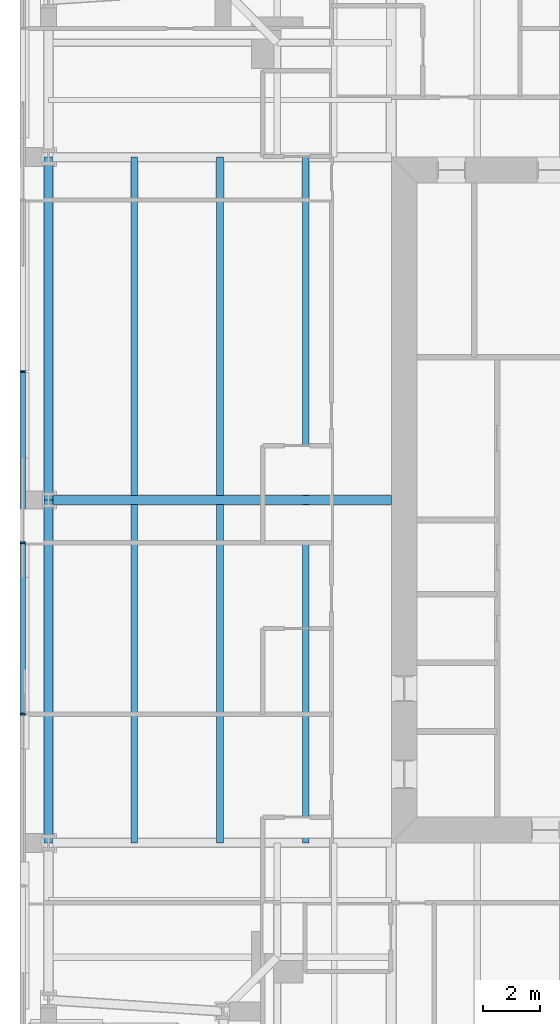
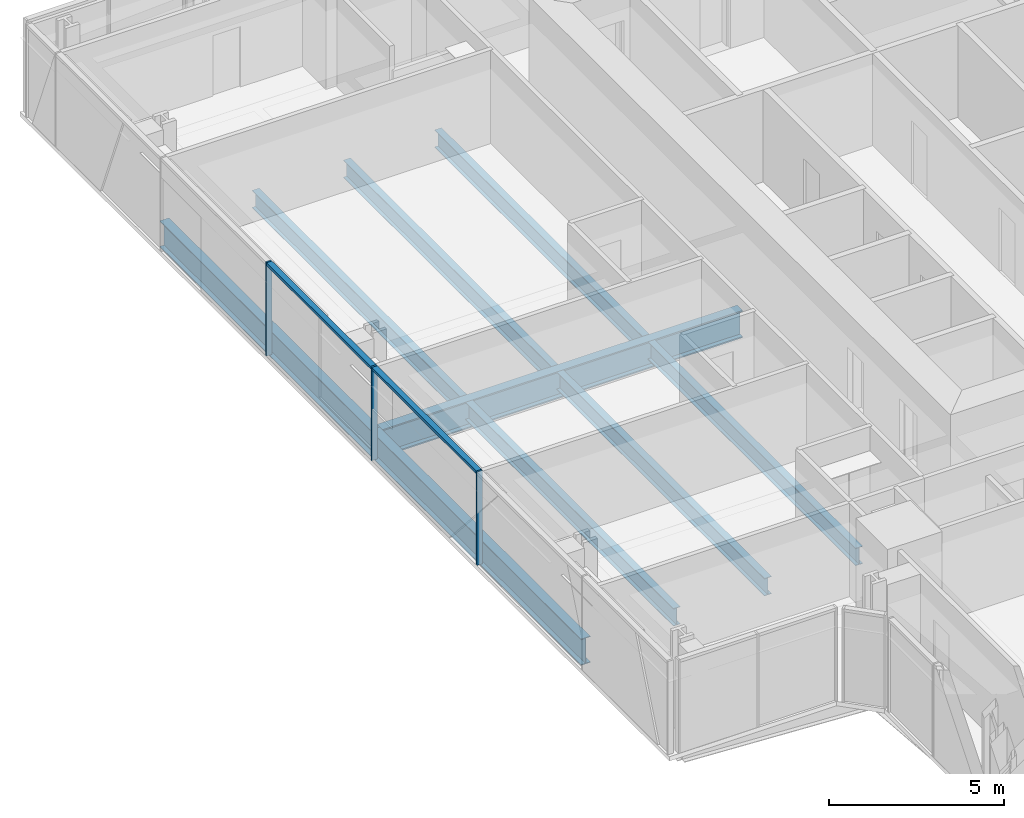
# One storey, part 4 of 20: 9 beams, 5 members, 1 element without a shape of its own.
"""IFC4 building model written with IfcOpenShell, lengths in metres."""

import ifcopenshell
import ifcopenshell.guid

model = None  # the IFC model being written
_history = None  # IfcOwnerHistory: only IFC2X3 demands one
_inside = {}  # id of a spatial element -> (the spatial element, [elements in it])
_under = {}  # id of a project, library or spatial element -> (it, [spatial elements below it])
_declared = {}  # id of a project -> (the project, [libraries it declares])
_typed = {}  # id of a type object -> (the type object, [elements of that type])
_made_of = {}  # id of a material, layer set ... -> (it, [elements and type objects made of it])


def new_model(schema):
    """Start an empty IFC model of exactly this schema.

    Asked for "IFC4X3", IfcOpenShell would pick the latest addendum, in which some entities
    have other attributes; the version numbers below select the first issue.
    IFC2X3 requires an IfcOwnerHistory on every rooted entity: one is made here for all.
    """
    global model, _history
    if schema == "IFC4X3":
        model = ifcopenshell.file(schema_version=(4, 3, 0, 0))
    else:
        model = ifcopenshell.file(schema=schema)
    _inside.clear()
    _under.clear()
    _declared.clear()
    _typed.clear()
    _made_of.clear()
    _history = None
    if model.schema == "IFC2X3":
        org = make("IfcOrganization", Name="unknown")
        user = make(
            "IfcPersonAndOrganization",
            ThePerson=make("IfcPerson", FamilyName="unknown"),
            TheOrganization=org,
        )
        app = make(
            "IfcApplication",
            ApplicationDeveloper=org,
            Version="unknown",
            ApplicationFullName="unknown",
            ApplicationIdentifier="unknown",
        )
        _history = make(
            "IfcOwnerHistory",
            OwningUser=user,
            OwningApplication=app,
            ChangeAction="ADDED",
            CreationDate=0,
        )
    return model


def make(cls, **values):
    """One entity of the class cls with the attributes given. An attribute that is None is left unset."""
    return model.create_entity(
        cls, **{name: value for name, value in values.items() if value is not None}
    )


def rooted(cls, **values):
    """An entity with a GlobalId (a new one), such as an element, a storey or a relation."""
    return make(cls, GlobalId=ifcopenshell.guid.new(), OwnerHistory=_history, **values)


def si_unit(unit_type, name, prefix=None):
    """IfcSIUnit, for example si_unit("LENGTHUNIT", "METRE", prefix="MILLI")."""
    return make("IfcSIUnit", UnitType=unit_type, Prefix=prefix, Name=name)


def assignment(units):
    """IfcUnitAssignment: the units of a project."""
    return None if units is None else make("IfcUnitAssignment", Units=units)


def point(xyz):
    """IfcCartesianPoint."""
    return None if xyz is None else make("IfcCartesianPoint", Coordinates=xyz)


def direction(xyz):
    """IfcDirection."""
    return None if xyz is None else make("IfcDirection", DirectionRatios=xyz)


def frame(location, z_axis=None, x_axis=None):
    """IfcAxis2Placement3D, a coordinate frame: its origin and axes. An axis left out is left unset."""
    return make(
        "IfcAxis2Placement3D",
        Location=point(location),
        Axis=direction(z_axis),
        RefDirection=direction(x_axis),
    )


def frame_2d(location, x_axis=None):
    """IfcAxis2Placement2D, a coordinate frame in the plane: its origin and x axis."""
    return make(
        "IfcAxis2Placement2D", Location=point(location), RefDirection=direction(x_axis)
    )


def origin():
    """The frame at (0, 0, 0) with its axes left unset."""
    return frame((0.0, 0.0, 0.0))


def origin_2d():
    """The frame at (0, 0) in the plane with its x axis left unset."""
    return frame_2d((0.0, 0.0))


def place(relative_to, where):
    """IfcLocalPlacement: puts the frame where relative to a parent placement (None: the world)."""
    return make(
        "IfcLocalPlacement", PlacementRelTo=relative_to, RelativePlacement=where
    )


def context(
    kind, dimensions, precision=None, world=None, true_north=None, identifier=None
):
    """IfcGeometricRepresentationContext, for example the 3D "Model" context."""
    return make(
        "IfcGeometricRepresentationContext",
        ContextIdentifier=identifier,
        ContextType=kind,
        CoordinateSpaceDimension=dimensions,
        Precision=precision,
        WorldCoordinateSystem=world,
        TrueNorth=true_north,
    )


def subcontext(parent, identifier, kind, view, scale=None):
    """IfcGeometricRepresentationSubContext, for example "Body" below "Model"."""
    return make(
        "IfcGeometricRepresentationSubContext",
        ContextIdentifier=identifier,
        ContextType=kind,
        ParentContext=parent,
        TargetScale=scale,
        TargetView=view,
    )


def project(units=None, contexts=None):
    """IfcProject with its units and contexts."""
    return rooted(
        "IfcProject",
        Name="project",
        RepresentationContexts=contexts,
        UnitsInContext=assignment(units),
    )


def spatial(cls, under=None, at=None, **own):
    """A site, building, storey or space (cls), placed at a placement, below another one or the project."""
    s = rooted(cls, ObjectPlacement=at, **own)
    if under is not None:
        _under.setdefault(under.id(), (under, []))[1].append(s)
    return s


def profile(cls, at=None, kind="AREA", **sizes):
    """A parametric profile (cls). Its sizes go by their IFC names, for example OverallWidth=200.0."""
    return make(cls, ProfileType=kind, Position=at, **sizes)


def rectangle(**sizes):
    """IfcRectangleProfileDef."""
    return profile("IfcRectangleProfileDef", **sizes)


def i_section(**sizes):
    """IfcIShapeProfileDef."""
    return profile("IfcIShapeProfileDef", **sizes)


def extrude(swept, where, along, depth):
    """IfcExtrudedAreaSolid: the profile swept, set in the frame where, extruded along a direction by depth."""
    return make(
        "IfcExtrudedAreaSolid",
        SweptArea=swept,
        Position=where,
        ExtrudedDirection=direction(along),
        Depth=depth,
    )


def shape(context_of_items, identifier, shape_type, items):
    """IfcShapeRepresentation: the items that make up one representation, for example the "Body"."""
    return make(
        "IfcShapeRepresentation",
        ContextOfItems=context_of_items,
        RepresentationIdentifier=identifier,
        RepresentationType=shape_type,
        Items=items,
    )


def material(Name=None, Category=None):
    """IfcMaterial."""
    return make("IfcMaterial", Name=Name, Category=Category)


def material_profile(
    of_material, cross_section, Name=None, Category=None, Priority=None
):
    """IfcMaterialProfile: a cross section and its material."""
    return make(
        "IfcMaterialProfile",
        Name=Name,
        Material=of_material,
        Profile=cross_section,
        Priority=Priority,
        Category=Category,
    )


def profile_set(profiles, Name=None, composite=None):
    """IfcMaterialProfileSet."""
    return make(
        "IfcMaterialProfileSet",
        Name=Name,
        MaterialProfiles=profiles,
        CompositeProfile=composite,
    )


def made_of(thing, what):
    """Note that an element or type object is made of a material, layer set ...; save() writes the relation."""
    if what is not None:
        _made_of.setdefault(what.id(), (what, []))[1].append(thing)
    return thing


def type_object(cls, material=None, **own):
    """A type object (cls), such as IfcWallType, which elements share."""
    return made_of(rooted(cls, **own), material)


def element(
    cls,
    number,
    at=None,
    inside=None,
    cuts=None,
    type_object=None,
    material=None,
    context=None,
    identifier="Body",
    shape_type=None,
    held_by="IfcProductDefinitionShape",
    body=None,
    shapes=None,
    **own,
):
    """One element of the class cls, such as IfcWall. Its Tag is "e" and its number.

    at: its placement. inside: the storey or other place that contains it. cuts: it is an
    opening in that element (IfcRelVoidsElement). A single representation is given by context,
    identifier, shape_type and body (its items); several are given by shapes. held_by: the class
    of the entity that holds the representations. save() writes the other relations.
    """
    e = rooted(cls, Tag="e%d" % number, ObjectPlacement=at, **own)
    if body is not None:
        shapes = [shape(context, identifier, shape_type, body)]
    if shapes is not None:
        e.Representation = make(held_by, Representations=shapes)
    if inside is not None:
        _inside.setdefault(inside.id(), (inside, []))[1].append(e)
    if cuts is not None:
        rooted(
            "IfcRelVoidsElement", RelatingBuildingElement=cuts, RelatedOpeningElement=e
        )
    if type_object is not None:
        _typed.setdefault(type_object.id(), (type_object, []))[1].append(e)
    return made_of(e, material)


def aggregate(whole, parts):
    """IfcRelAggregates: a whole, such as a stair, and the parts it consists of."""
    return rooted("IfcRelAggregates", RelatingObject=whole, RelatedObjects=parts)


def save(model, path):
    """Write the relations noted so far, then the file.

    IfcRelAggregates (storeys below a building ...), IfcRelContainedInSpatialStructure (elements
    in a storey), IfcRelDefinesByType, IfcRelAssociatesMaterial and IfcRelDeclares: one each for
    every whole, place, type object, material and project.
    """
    for whole, parts in _under.values():
        aggregate(whole, parts)
    for where, things in _inside.values():
        rooted(
            "IfcRelContainedInSpatialStructure",
            RelatedElements=things,
            RelatingStructure=where,
        )
    for kind, things in _typed.values():
        rooted("IfcRelDefinesByType", RelatedObjects=things, RelatingType=kind)
    for what, things in _made_of.values():
        rooted("IfcRelAssociatesMaterial", RelatedObjects=things, RelatingMaterial=what)
    for by, libraries in _declared.values():
        rooted("IfcRelDeclares", RelatingContext=by, RelatedDefinitions=libraries)
    model.write(path)


model = new_model("IFC4")

# Units and contexts
model_context = context("Model", 3, precision=1e-05, world=origin(), true_north=direction((0.0, 1.0)))
body_context = subcontext(model_context, "Body", "Model", "MODEL_VIEW")
ifc_project = project(units=[si_unit("LENGTHUNIT", "METRE"), si_unit("AREAUNIT", "SQUARE_METRE"), si_unit("VOLUMEUNIT", "CUBIC_METRE"), si_unit("PLANEANGLEUNIT", "RADIAN"), si_unit("MASSUNIT", "GRAM", prefix="KILO")], contexts=[model_context])

# Site, building, storey
site_placement = place(None, origin())
site = spatial("IfcSite", under=ifc_project, at=site_placement, CompositionType="ELEMENT")
building_placement = place(site_placement, origin())
building = spatial("IfcBuilding", under=site, at=building_placement, Name="Fenwick Lantern Interchange", CompositionType="ELEMENT")
storey_placement = place(building_placement, frame((0.0, 0.0, 259.39990234375)))
storey = spatial("IfcBuildingStorey", under=building, at=storey_placement, Name="L61", CompositionType="ELEMENT", Elevation=259.39990234375)

# Beams
ifc_material_1 = material(Name="Steel ASTM A992 Grade 50", Category="steel")
ifc_material_profile_1 = material_profile(ifc_material_1, i_section(OverallWidth=0.3046875, OverallDepth=0.911865234375, WebThickness=0.015869140625, FlangeThickness=0.02392578125, at=origin_2d()), Name="W36X150")
ifc_profile_set_1 = profile_set([ifc_material_profile_1], Name="Steel ASTM A992 Grade 50")
beam_type_1 = type_object("IfcBeamType", Name="EDGE BEAM W36X150", PredefinedType="SPANDREL", material=ifc_profile_set_1)
for number, where, z_axis, x_axis, name in (
    (1, (1.0, 37.0, -0.605712890625), (0.0, -1.0, 0.0), (1.0, 0.0, 0.0), "L61/FR/W/EB2"),
    (2, (1.0, 25.0, -0.605712890625), (0.0, -1.0, 0.0), (1.0, 0.0, 0.0), "L61/FR/W/EB3"),
):
    element("IfcBeam", number, at=place(storey_placement, frame(where, z_axis=z_axis, x_axis=x_axis)), inside=storey, type_object=beam_type_1, Name=name, PredefinedType="SPANDREL", context=body_context, shape_type="SweptSolid", body=[
        extrude(i_section(OverallWidth=0.3046875, OverallDepth=0.911865234375, WebThickness=0.015869140625, FlangeThickness=0.02392578125, at=origin_2d()), origin(), (0.0, 0.0, 1.0), 12.0),
    ])
ifc_material_profile_2 = material_profile(ifc_material_1, i_section(OverallWidth=0.22900390625, OverallDepth=0.612060546875, WebThickness=0.011962890625, FlangeThickness=0.01953125, at=origin_2d()), Name="W24X84")
ifc_profile_set_2 = profile_set([ifc_material_profile_2], Name="Steel ASTM A992 Grade 50")
beam_type_2 = type_object("IfcBeamType", Name="FLOOR BEAM W24X84", PredefinedType="BEAM", material=ifc_profile_set_2)
for number, where, z_axis, x_axis, name in (
    (3, (4.0, 37.0, -0.4560546875), (0.0, -1.0, 0.0), (1.0, 0.0, 0.0), "L61/FR/W/B01"),
    (4, (7.0, 37.0, -0.4560546875), (0.0, -1.0, 0.0), (1.0, 0.0, 0.0), "L61/FR/W/B02"),
    (5, (10.0, 37.0, -0.4560546875), (0.0, -1.0, 0.0), (1.0, 0.0, 0.0), "L61/FR/W/B03"),
    (6, (4.0, 24.844970703125, -0.4560546875), (0.0, -1.0, 0.0), (1.0, 0.0, 0.0), "L61/FR/W/B04"),
    (7, (7.0, 24.844970703125, -0.4560546875), (0.0, -1.0, 0.0), (1.0, 0.0, 0.0), "L61/FR/W/B05"),
    (8, (10.0, 24.844970703125, -0.4560546875), (0.0, -1.0, 0.0), (1.0, 0.0, 0.0), "L61/FR/W/B06"),
):
    element("IfcBeam", number, at=place(storey_placement, frame(where, z_axis=z_axis, x_axis=x_axis)), inside=storey, type_object=beam_type_2, Name=name, PredefinedType="BEAM", context=body_context, shape_type="SweptSolid", body=[
        extrude(i_section(OverallWidth=0.22900390625, OverallDepth=0.612060546875, WebThickness=0.011962890625, FlangeThickness=0.01953125, at=origin_2d()), origin(), (0.0, 0.0, 1.0), 11.844970703125),
    ])

# Curtain wall, members
ifc_material_2 = material(Name="Aluminium curtain wall frame", Category="aluminium")
curtain_wall_type = type_object("IfcCurtainWallType", Name="HOTEL CURTAIN WALL", PredefinedType="USERDEFINED", material=ifc_material_2)
curtain_wall_placement = place(storey_placement, origin())
curtain_wall = element("IfcCurtainWall", 9, at=curtain_wall_placement, inside=storey, type_object=curtain_wall_type, Name="Hotel curtain wall 13", ObjectType="HOTEL CURTAIN WALL", PredefinedType="USERDEFINED")
ifc_material_3 = material(Name="Aluminium extrusion", Category="aluminium")
ifc_material_profile_3 = material_profile(ifc_material_3, rectangle(XDim=0.179931640625, YDim=0.06005859375, at=origin_2d()), Name="HOTEL CURTAIN WALL MULLION 60 X 180")
ifc_profile_set_3 = profile_set([ifc_material_profile_3], Name="Aluminium extrusion")
member_type_1 = type_object("IfcMemberType", Name="HOTEL CURTAIN WALL MULLION 60 X 180", PredefinedType="MULLION", material=ifc_profile_set_3)
member_1_placement = place(storey_placement, frame((0.10009765625, 29.5, 0.0), z_axis=(0.0, 0.0, 1.0), x_axis=(1.0, 0.0, 0.0)))
member_1 = element("IfcMember", 10, at=member_1_placement, type_object=member_type_1, Name="L61/CW/13/M03", PredefinedType="MULLION", context=body_context, shape_type="SweptSolid", body=[
    extrude(rectangle(XDim=0.179931640625, YDim=0.06005859375, at=origin_2d()), origin(), (0.0, 0.0, 1.0), 3.25),
])
member_2_placement = place(storey_placement, frame((0.10009765625, 23.5, 0.0), z_axis=(0.0, 0.0, 1.0), x_axis=(1.0, 0.0, 0.0)))
member_2 = element("IfcMember", 11, at=member_2_placement, type_object=member_type_1, Name="L61/CW/13/M04", PredefinedType="MULLION", context=body_context, shape_type="SweptSolid", body=[
    extrude(rectangle(XDim=0.179931640625, YDim=0.06005859375, at=origin_2d()), origin(), (0.0, 0.0, 1.0), 3.25),
])
member_3_placement = place(storey_placement, frame((0.10009765625, 17.5, 0.0), z_axis=(0.0, 0.0, 1.0), x_axis=(1.0, 0.0, 0.0)))
member_3 = element("IfcMember", 12, at=member_3_placement, type_object=member_type_1, Name="L61/CW/13/M05", PredefinedType="MULLION", context=body_context, shape_type="SweptSolid", body=[
    extrude(rectangle(XDim=0.179931640625, YDim=0.06005859375, at=origin_2d()), origin(), (0.0, 0.0, 1.0), 3.25),
])
ifc_material_profile_4 = material_profile(ifc_material_3, rectangle(XDim=0.179931640625, YDim=0.10009765625, at=origin_2d()), Name="HOTEL CURTAIN WALL TRANSOM 100 X 180")
ifc_profile_set_4 = profile_set([ifc_material_profile_4], Name="Aluminium extrusion")
member_type_2 = type_object("IfcMemberType", Name="HOTEL CURTAIN WALL TRANSOM 100 X 180", PredefinedType="MULLION", material=ifc_profile_set_4)
member_4_placement = place(storey_placement, frame((0.10009765625, 29.469970703125, 3.2001953125), z_axis=(0.0, -1.0, 0.0), x_axis=(1.0, 0.0, 0.0)))
member_4 = element("IfcMember", 13, at=member_4_placement, type_object=member_type_2, Name="L61/CW/13/T03", PredefinedType="MULLION", context=body_context, shape_type="SweptSolid", body=[
    extrude(rectangle(XDim=0.179931640625, YDim=0.10009765625, at=origin_2d()), origin(), (0.0, 0.0, 1.0), 5.93994140625),
])
member_5_placement = place(storey_placement, frame((0.10009765625, 23.469970703125, 3.2001953125), z_axis=(0.0, -1.0, 0.0), x_axis=(1.0, 0.0, 0.0)))
member_5 = element("IfcMember", 14, at=member_5_placement, type_object=member_type_2, Name="L61/CW/13/T04", PredefinedType="MULLION", context=body_context, shape_type="SweptSolid", body=[
    extrude(rectangle(XDim=0.179931640625, YDim=0.10009765625, at=origin_2d()), origin(), (0.0, 0.0, 1.0), 5.93994140625),
])
aggregate(curtain_wall, [member_1, member_2, member_3, member_4, member_5])

# Beam
ifc_material_profile_5 = material_profile(ifc_material_1, i_section(OverallWidth=0.309814453125, OverallDepth=0.949951171875, WebThickness=0.0244140625, FlangeThickness=0.0439453125, at=origin_2d()), Name="W36X256")
ifc_profile_set_5 = profile_set([ifc_material_profile_5], Name="Steel ASTM A992 Grade 50")
beam_type_3 = type_object("IfcBeamType", Name="MOMENT-CONNECTED GIRDER W36X256", PredefinedType="BEAM", material=ifc_profile_set_5)
beam_placement = place(storey_placement, frame((1.0, 25.0, -0.625), z_axis=(1.0, 0.0, 0.0), x_axis=(0.0, 1.0, 0.0)))
element("IfcBeam", 15, at=beam_placement, inside=storey, type_object=beam_type_3, Name="L61/FR/W/R02", PredefinedType="BEAM", context=body_context, shape_type="SweptSolid", body=[
    extrude(i_section(OverallWidth=0.309814453125, OverallDepth=0.949951171875, WebThickness=0.0244140625, FlangeThickness=0.0439453125, at=origin_2d()), origin(), (0.0, 0.0, 1.0), 12.0),
])

save(model, "model.ifc")
